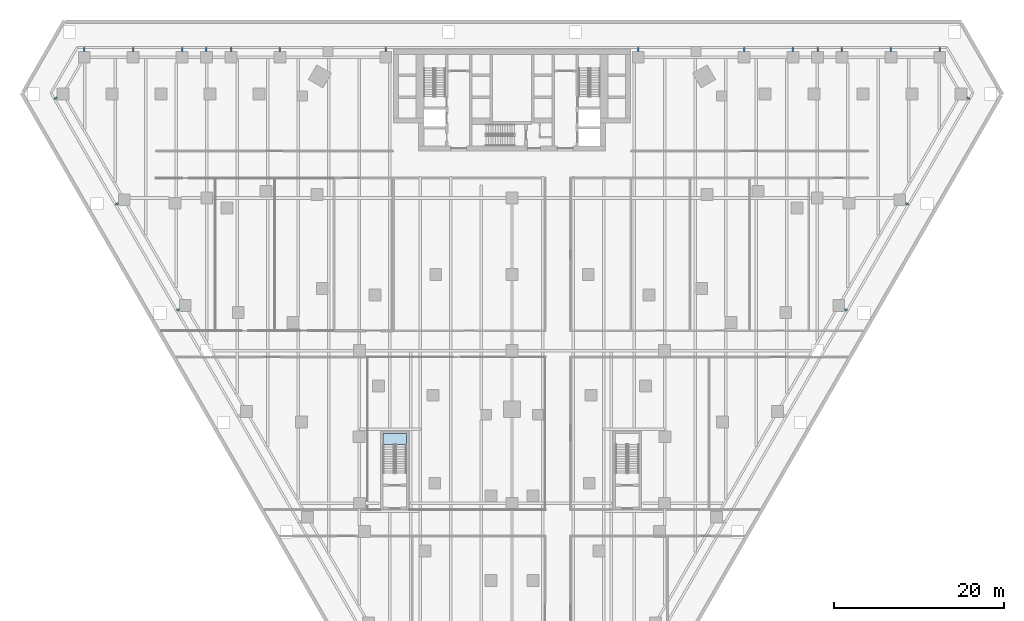
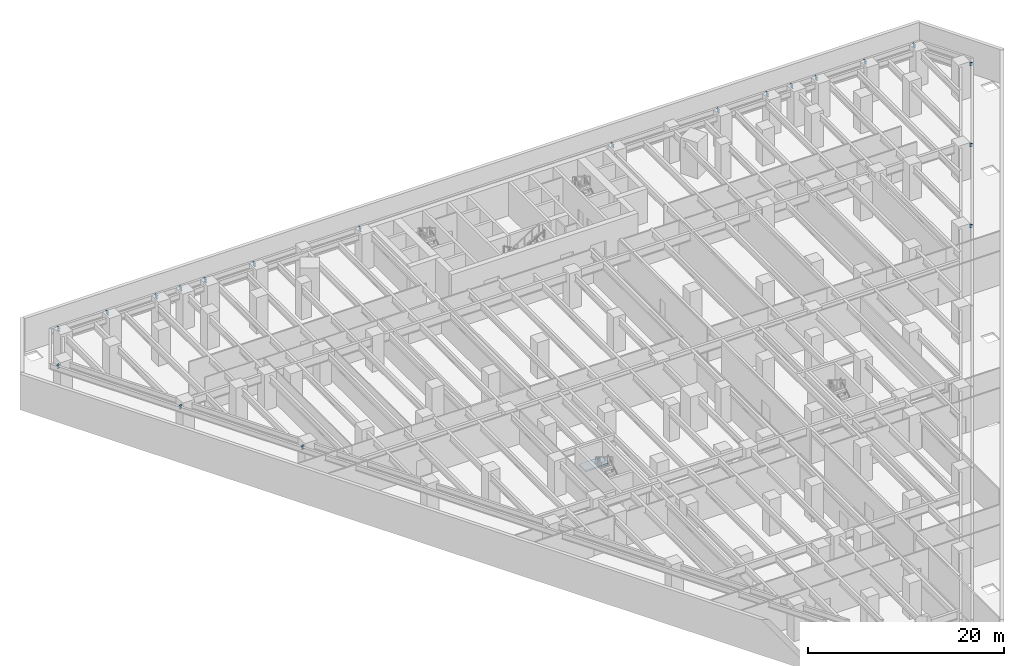
# One storey, part 5 of 20: 20 beams, 1 slab, 1 element without a shape of its own.
"""IFC4 building model written with IfcOpenShell, lengths in metres."""

from ifc_helpers import new_model, si_unit, direction, frame, origin, origin_2d, place, context, subcontext, project, spatial, polyline, i_section, outline, extrude, material, layer, layer_set, material_profile, profile_set, type_object, element, aggregate, save


model = new_model("IFC4")

# Units and contexts
model_context = context("Model", 3, precision=1e-05, world=origin(), true_north=direction((0.0, 1.0)))
body_context = subcontext(model_context, "Body", "Model", "MODEL_VIEW")
ifc_project = project(units=[si_unit("LENGTHUNIT", "METRE"), si_unit("AREAUNIT", "SQUARE_METRE"), si_unit("VOLUMEUNIT", "CUBIC_METRE"), si_unit("PLANEANGLEUNIT", "RADIAN"), si_unit("MASSUNIT", "GRAM", prefix="KILO")], contexts=[model_context])

# Site, building, storey
site_placement = place(None, origin())
site = spatial("IfcSite", under=ifc_project, at=site_placement, CompositionType="ELEMENT")
building_placement = place(site_placement, origin())
building = spatial("IfcBuilding", under=site, at=building_placement, Name="Aloe Facet Convention Tower", CompositionType="ELEMENT")
storey_placement = place(building_placement, frame((0.0, 0.0, -4.5)))
storey = spatial("IfcBuildingStorey", under=building, at=storey_placement, Name="B1", CompositionType="ELEMENT", Elevation=-4.5)

# Beams
ifc_material_1 = material(Name="Steel S355", Category="steel")
ifc_material_profile = material_profile(ifc_material_1, i_section(OverallWidth=0.177734375, OverallDepth=0.402587890625, WebThickness=0.0078125, FlangeThickness=0.010986328125, FilletRadius=0.01025390625, at=origin_2d()), Name="UB 406x178x54")
ifc_profile_set = profile_set([ifc_material_profile], Name="Steel S355")
beam_type = type_object("IfcBeamType", Name="EV-BR-UB406x178x54", PredefinedType="BEAM", material=ifc_profile_set)
for number, where, z_axis, x_axis, name in (
    (1, (107.364990234375, 134.300048828125, 3.998779296875), (0.0, 1.0, 0.0), (-1.0, 0.0, 0.0), "EB-L00-N-BR01"),
    (2, (113.138916015625, 134.300048828125, 3.998779296875), (0.0, 1.0, 0.0), (-1.0, 0.0, 0.0), "EB-L00-N-BR02"),
    (3, (116.0419921875, 134.300048828125, 3.998779296875), (0.0, 1.0, 0.0), (-1.0, 0.0, 0.0), "EB-L00-N-BR03"),
    (4, (118.912109375, 134.300048828125, 3.998779296875), (0.0, 1.0, 0.0), (-1.0, 0.0, 0.0), "EB-L00-N-BR04"),
    (5, (124.68603515625, 134.300048828125, 3.998779296875), (0.0, 1.0, 0.0), (-1.0, 0.0, 0.0), "EB-L00-N-BR05"),
    (6, (130.458984375, 134.300048828125, 3.998779296875), (0.0, 1.0, 0.0), (-1.0, 0.0, 0.0), "EB-L00-N-BR06"),
    (7, (29.541015625, 134.300048828125, 3.998779296875), (0.0, 1.0, 0.0), (-1.0, 0.0, 0.0), "EB-L00-N-BR07"),
    (8, (35.31396484375, 134.300048828125, 3.998779296875), (0.0, 1.0, 0.0), (-1.0, 0.0, 0.0), "EB-L00-N-BR08"),
    (9, (41.087890625, 134.300048828125, 3.998779296875), (0.0, 1.0, 0.0), (-1.0, 0.0, 0.0), "EB-L00-N-BR09"),
    (10, (43.9580078125, 134.300048828125, 3.998779296875), (0.0, 1.0, 0.0), (-1.0, 0.0, 0.0), "EB-L00-N-BR10"),
    (11, (46.861083984375, 134.300048828125, 3.998779296875), (0.0, 1.0, 0.0), (-1.0, 0.0, 0.0), "EB-L00-N-BR11"),
    (12, (52.635009765625, 134.300048828125, 3.998779296875), (0.0, 1.0, 0.0), (-1.0, 0.0, 0.0), "EB-L00-N-BR12"),
    (13, (65.10498046875, 134.300048828125, 3.998779296875), (0.0, 1.0, 0.0), (-1.0, 0.0, 0.0), "EB-L00-N-BR13"),
    (14, (94.89501953125, 134.300048828125, 3.998779296875), (0.0, 1.0, 0.0), (-1.0, 0.0, 0.0), "EB-L00-N-BR14"),
):
    element("IfcBeam", number, at=place(storey_placement, frame(where, z_axis=z_axis, x_axis=x_axis)), inside=storey, type_object=beam_type, Name=name, PredefinedType="BEAM", context=body_context, shape_type="SweptSolid", body=[
        extrude(i_section(OverallWidth=0.177734375, OverallDepth=0.402587890625, WebThickness=0.0078125, FlangeThickness=0.010986328125, FilletRadius=0.01025390625, at=origin_2d()), origin(), (0.0, 0.0, 1.0), 0.474853515625),
    ])
beam_1_placement = place(storey_placement, frame((26.34912109375, 128.8798828125, 3.998779296875), z_axis=(-0.866063652425, -0.499933745558, 0.0), x_axis=(0.499933745558, -0.866063652425, 0.0)))
element("IfcBeam", 15, at=beam_1_placement, inside=storey, type_object=beam_type, Name="EB-L00-W-BR01", PredefinedType="BEAM", context=body_context, shape_type="SweptSolid", body=[
    extrude(i_section(OverallWidth=0.177734375, OverallDepth=0.402587890625, WebThickness=0.0078125, FlangeThickness=0.010986328125, FilletRadius=0.01025390625, at=origin_2d()), origin(), (0.0, 0.0, 1.0), 0.36669921875),
])
beam_2_placement = place(storey_placement, frame((33.55810546875, 116.39501953125, 3.998779296875), z_axis=(-0.865820295338, -0.500355090092, 0.0), x_axis=(0.500355090092, -0.865820295338, 0.0)))
element("IfcBeam", 16, at=beam_2_placement, inside=storey, type_object=beam_type, Name="EB-L00-W-BR02", PredefinedType="BEAM", context=body_context, shape_type="SweptSolid", body=[
    extrude(i_section(OverallWidth=0.177734375, OverallDepth=0.402587890625, WebThickness=0.0078125, FlangeThickness=0.010986328125, FilletRadius=0.01025390625, at=origin_2d()), origin(), (0.0, 0.0, 1.0), 0.367431640625),
])
for number, where, z_axis, x_axis, name in (
    (17, (40.76611328125, 103.908935546875, 3.998779296875), (-0.866063652425, -0.499933745558, 0.0), (0.499933745558, -0.866063652425, 0.0), "EB-L00-W-BR03"),
    (18, (119.23388671875, 103.908935546875, 3.998779296875), (0.866063652425, -0.499933745558, 0.0), (0.499933745558, 0.866063652425, 0.0), "EB-L00-E-BR03"),
):
    element("IfcBeam", number, at=place(storey_placement, frame(where, z_axis=z_axis, x_axis=x_axis)), inside=storey, type_object=beam_type, Name=name, PredefinedType="BEAM", context=body_context, shape_type="SweptSolid", body=[
        extrude(i_section(OverallWidth=0.177734375, OverallDepth=0.402587890625, WebThickness=0.0078125, FlangeThickness=0.010986328125, FilletRadius=0.01025390625, at=origin_2d()), origin(), (0.0, 0.0, 1.0), 0.36669921875),
    ])
beam_3_placement = place(storey_placement, frame((126.44189453125, 116.39501953125, 3.998779296875), z_axis=(0.865820295338, -0.500355090092, 0.0), x_axis=(0.500355090092, 0.865820295338, 0.0)))
element("IfcBeam", 19, at=beam_3_placement, inside=storey, type_object=beam_type, Name="EB-L00-E-BR04", PredefinedType="BEAM", context=body_context, shape_type="SweptSolid", body=[
    extrude(i_section(OverallWidth=0.177734375, OverallDepth=0.402587890625, WebThickness=0.0078125, FlangeThickness=0.010986328125, FilletRadius=0.01025390625, at=origin_2d()), origin(), (0.0, 0.0, 1.0), 0.367431640625),
])
beam_4_placement = place(storey_placement, frame((133.65087890625, 128.8798828125, 3.998779296875), z_axis=(0.866063652425, -0.499933745558, 0.0), x_axis=(0.499933745558, 0.866063652425, 0.0)))
element("IfcBeam", 20, at=beam_4_placement, inside=storey, type_object=beam_type, Name="EB-L00-E-BR05", PredefinedType="BEAM", context=body_context, shape_type="SweptSolid", body=[
    extrude(i_section(OverallWidth=0.177734375, OverallDepth=0.402587890625, WebThickness=0.0078125, FlangeThickness=0.010986328125, FilletRadius=0.01025390625, at=origin_2d()), origin(), (0.0, 0.0, 1.0), 0.36669921875),
])

# Stair, slab
ifc_material_2 = material(Name="Concrete C50/60", Category="concrete")
stair_type = type_object("IfcStairType", Name="CR-ST-26R-W1300", PredefinedType="HALF_TURN_STAIR", material=ifc_material_2)
stair_placement = place(storey_placement, origin())
stair = element("IfcStair", 21, at=stair_placement, inside=storey, type_object=stair_type, Name="B1 Protected exit stair ST7", PredefinedType="HALF_TURN_STAIR")
ifc_material_3 = material(Name="Concrete C50/60", Category="concrete")
ifc_layer = layer(ifc_material_3, 0.199951171875)
ifc_layer_set = layer_set([ifc_layer], Name="CR-SL-LANDING")
slab_type = type_object("IfcSlabType", Name="CR-SL-LANDING", PredefinedType="LANDING", material=ifc_layer_set)
slab_placement = place(storey_placement, frame((0.0, 0.0, 2.050048828125)))
slab = element("IfcSlab", 22, at=slab_placement, type_object=slab_type, Name="ST7 landing 1", PredefinedType="LANDING", context=body_context, shape_type="SweptSolid", body=[
    extrude(outline(polyline([(67.550048828125, 87.909912109375), (67.550048828125, 89.25), (64.800048828125, 89.25), (64.800048828125, 87.909912109375), (67.550048828125, 87.909912109375)])), origin(), (0.0, 0.0, 1.0), 0.199951171875),
])
aggregate(stair, [slab])

save(model, "model.ifc")
